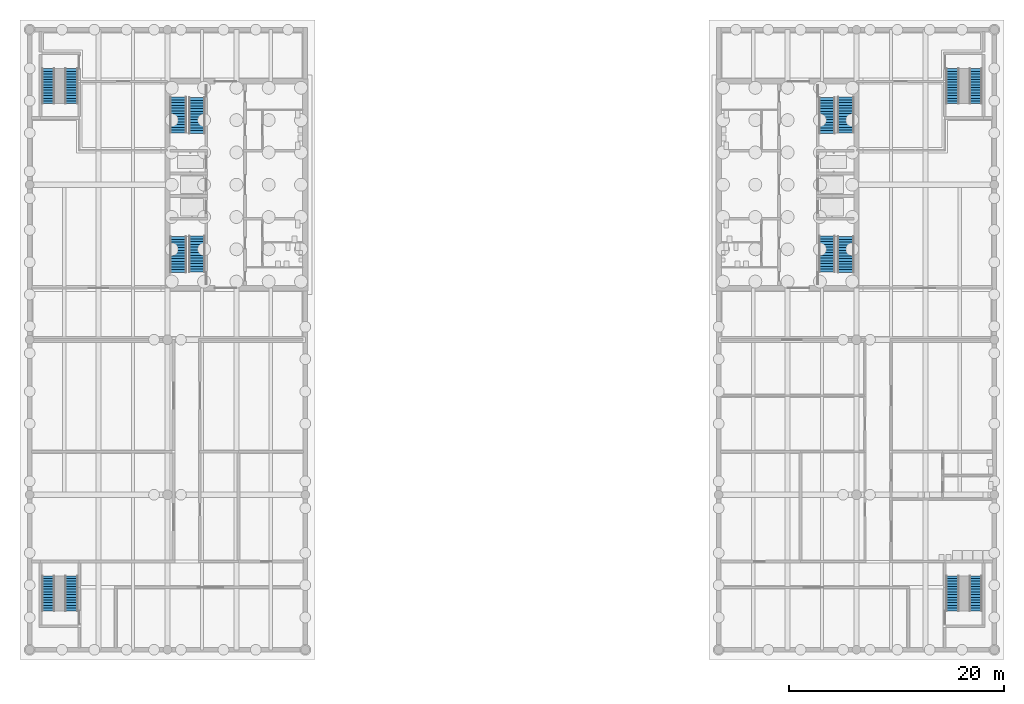
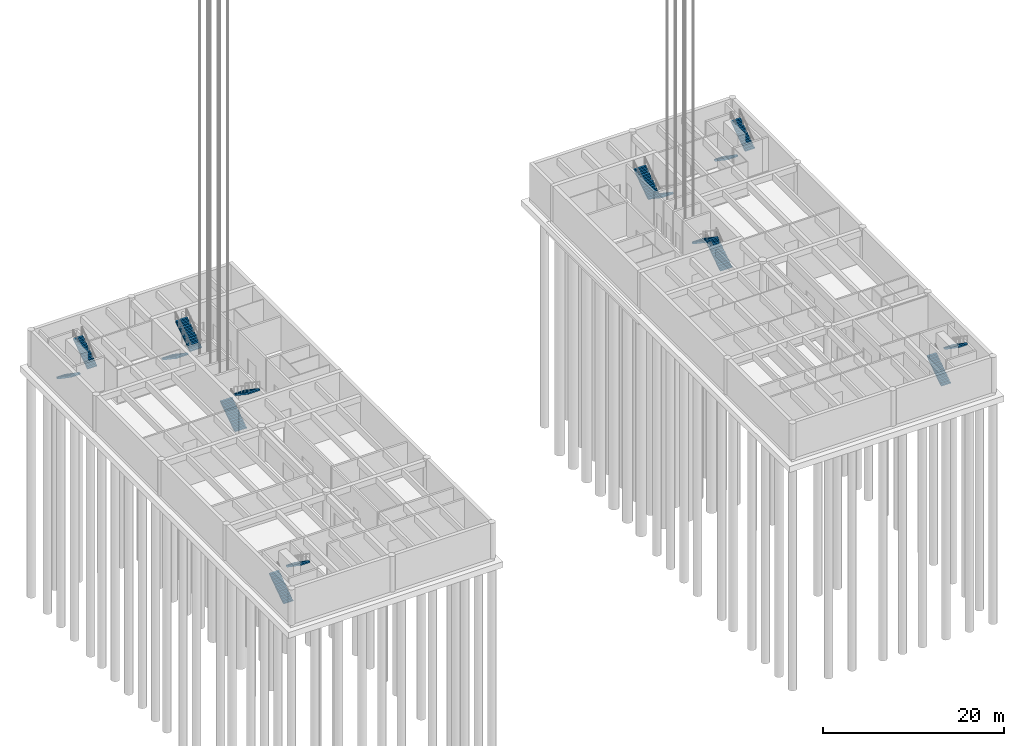
# One storey, part 8 of 24: 16 stair flights, 8 elements without a shape of their own.
"""IFC4 building model written with IfcOpenShell, lengths in metres."""

from ifc_helpers import new_model, si_unit, direction, frame, origin, place, context, subcontext, project, spatial, polyline, outline, extrude, material, type_object, element, aggregate, save


model = new_model("IFC4")

# Units and contexts
model_context = context("Model", 3, precision=1e-05, world=origin(), true_north=direction((0.0, 1.0)))
body_context = subcontext(model_context, "Body", "Model", "MODEL_VIEW")
ifc_project = project(units=[si_unit("LENGTHUNIT", "METRE"), si_unit("AREAUNIT", "SQUARE_METRE"), si_unit("VOLUMEUNIT", "CUBIC_METRE"), si_unit("PLANEANGLEUNIT", "RADIAN"), si_unit("MASSUNIT", "GRAM", prefix="KILO")], contexts=[model_context])

# Site, building, storey
site_placement = place(None, origin())
site = spatial("IfcSite", under=ifc_project, at=site_placement, CompositionType="ELEMENT")
building_placement = place(site_placement, origin())
building = spatial("IfcBuilding", under=site, at=building_placement, Name="Fogon Plaza Fire Station and Headquarters Tower", CompositionType="ELEMENT")
storey_placement = place(building_placement, frame((0.0, 0.0, -4.800048828125)))
storey = spatial("IfcBuildingStorey", under=building, at=storey_placement, Name="B1", CompositionType="ELEMENT", Elevation=-4.800048828125)

# Stair, stair flights
ifc_material_1 = material(Name="Concrete C40", Category="concrete")
stair_type_1 = type_object("IfcStairType", Name="Exit Stair Two Flights", PredefinedType="TWO_STRAIGHT_RUN_STAIR", material=ifc_material_1)
stair_1_placement = place(storey_placement, origin())
stair_1 = element("IfcStair", 1, at=stair_1_placement, inside=storey, type_object=stair_type_1, Name="Stair ST1", PredefinedType="TWO_STRAIGHT_RUN_STAIR")
ifc_material_2 = material(Name="Concrete C40", Category="concrete")
stair_flight_type_1 = type_object("IfcStairFlightType", Name="Stair Flight 14 Risers", PredefinedType="STRAIGHT", material=ifc_material_2)
stair_flight_1_placement = place(storey_placement, frame((13.800048828125, 35.060791015625, 0.0), z_axis=(0.0, 0.0, 1.0), x_axis=(0.0, 1.0, 0.0)))
stair_flight_1 = element("IfcStairFlight", 2, at=stair_flight_1_placement, type_object=stair_flight_type_1, Name="ST1 flight F01", NumberOfRisers=14, NumberOfTreads=13, PredefinedType="STRAIGHT", RiserHeight=0.171428571, TreadLength=0.255, context=body_context, shape_type="SweptSolid", body=[
    extrude(outline(polyline([(0.0, 0.0), (0.0, 0.17138671875), (0.2548828125, 0.17138671875), (0.2548828125, 0.3427734375), (0.510009765625, 0.3427734375), (0.510009765625, 0.514404296875), (0.764892578125, 0.514404296875), (0.764892578125, 0.685791015625), (1.02001953125, 0.685791015625), (1.02001953125, 0.857177734375), (1.27490234375, 0.857177734375), (1.27490234375, 1.028564453125), (1.530029296875, 1.028564453125), (1.530029296875, 1.199951171875), (1.784912109375, 1.199951171875), (1.784912109375, 1.371337890625), (2.0400390625, 1.371337890625), (2.0400390625, 1.54296875), (2.294921875, 1.54296875), (2.294921875, 1.71435546875), (2.550048828125, 1.71435546875), (2.550048828125, 1.8857421875), (2.804931640625, 1.8857421875), (2.804931640625, 2.05712890625), (3.06005859375, 2.05712890625), (3.06005859375, 2.228515625), (3.31494140625, 2.228515625), (3.31494140625, 2.39990234375), (3.31494140625, 2.0478515625), (0.268798828125, 0.0), (0.0, 0.0)])), frame((0.0, 0.75, 0.0), z_axis=(0.0, -1.0, 0.0), x_axis=(1.0, 0.0, 0.0)), (0.0, 0.0, 1.0), 1.5),
])
stair_flight_2_placement = place(storey_placement, frame((15.52490234375, 38.42431640625, 2.400146484375), z_axis=(0.0, 0.0, 1.0), x_axis=(0.0, -1.0, 0.0)))
stair_flight_2 = element("IfcStairFlight", 3, at=stair_flight_2_placement, type_object=stair_flight_type_1, Name="ST1 flight F02", NumberOfRisers=14, NumberOfTreads=13, PredefinedType="STRAIGHT", RiserHeight=0.171428571, TreadLength=0.255, context=body_context, shape_type="SweptSolid", body=[
    extrude(outline(polyline([(0.0, 0.0), (0.0, 0.17138671875), (0.2548828125, 0.17138671875), (0.2548828125, 0.3427734375), (0.510009765625, 0.3427734375), (0.510009765625, 0.514404296875), (0.764892578125, 0.514404296875), (0.764892578125, 0.685791015625), (1.02001953125, 0.685791015625), (1.02001953125, 0.857177734375), (1.27490234375, 0.857177734375), (1.27490234375, 1.028564453125), (1.530029296875, 1.028564453125), (1.530029296875, 1.199951171875), (1.784912109375, 1.199951171875), (1.784912109375, 1.371337890625), (2.0400390625, 1.371337890625), (2.0400390625, 1.54296875), (2.294921875, 1.54296875), (2.294921875, 1.71435546875), (2.550048828125, 1.71435546875), (2.550048828125, 1.8857421875), (2.804931640625, 1.8857421875), (2.804931640625, 2.05712890625), (3.06005859375, 2.05712890625), (3.06005859375, 2.228515625), (3.31494140625, 2.228515625), (3.31494140625, 2.39990234375), (3.31494140625, 2.0478515625), (0.268798828125, 0.0), (0.0, 0.0)])), frame((0.0, 0.75, 0.0), z_axis=(0.0, -1.0, 0.0), x_axis=(1.0, 0.0, 0.0)), (0.0, 0.0, 1.0), 1.5),
])
aggregate(stair_1, [stair_flight_1, stair_flight_2])

stair_2_placement = place(storey_placement, origin())
stair_2 = element("IfcStair", 4, at=stair_2_placement, inside=storey, type_object=stair_type_1, Name="Stair ST2", PredefinedType="TWO_STRAIGHT_RUN_STAIR")
stair_flight_3_placement = place(storey_placement, frame((13.800048828125, 51.33935546875, 0.0), z_axis=(0.0, 0.0, 1.0), x_axis=(0.0, -1.0, 0.0)))
stair_flight_3 = element("IfcStairFlight", 5, at=stair_flight_3_placement, type_object=stair_flight_type_1, Name="ST2 flight F01", NumberOfRisers=14, NumberOfTreads=13, PredefinedType="STRAIGHT", RiserHeight=0.171428571, TreadLength=0.255, context=body_context, shape_type="SweptSolid", body=[
    extrude(outline(polyline([(0.0, 0.0), (0.0, 0.17138671875), (0.2548828125, 0.17138671875), (0.2548828125, 0.3427734375), (0.510009765625, 0.3427734375), (0.510009765625, 0.514404296875), (0.764892578125, 0.514404296875), (0.764892578125, 0.685791015625), (1.02001953125, 0.685791015625), (1.02001953125, 0.857177734375), (1.27490234375, 0.857177734375), (1.27490234375, 1.028564453125), (1.530029296875, 1.028564453125), (1.530029296875, 1.199951171875), (1.784912109375, 1.199951171875), (1.784912109375, 1.371337890625), (2.0400390625, 1.371337890625), (2.0400390625, 1.54296875), (2.294921875, 1.54296875), (2.294921875, 1.71435546875), (2.550048828125, 1.71435546875), (2.550048828125, 1.8857421875), (2.804931640625, 1.8857421875), (2.804931640625, 2.05712890625), (3.06005859375, 2.05712890625), (3.06005859375, 2.228515625), (3.31494140625, 2.228515625), (3.31494140625, 2.39990234375), (3.31494140625, 2.0478515625), (0.268798828125, 0.0), (0.0, 0.0)])), frame((0.0, 0.75, 0.0), z_axis=(0.0, -1.0, 0.0), x_axis=(1.0, 0.0, 0.0)), (0.0, 0.0, 1.0), 1.5),
])
stair_flight_4_placement = place(storey_placement, frame((15.52490234375, 47.975830078125, 2.400146484375), z_axis=(0.0, 0.0, 1.0), x_axis=(0.0, 1.0, 0.0)))
stair_flight_4 = element("IfcStairFlight", 6, at=stair_flight_4_placement, type_object=stair_flight_type_1, Name="ST2 flight F02", NumberOfRisers=14, NumberOfTreads=13, PredefinedType="STRAIGHT", RiserHeight=0.171428571, TreadLength=0.255, context=body_context, shape_type="SweptSolid", body=[
    extrude(outline(polyline([(0.0, 0.0), (0.0, 0.17138671875), (0.2548828125, 0.17138671875), (0.2548828125, 0.3427734375), (0.510009765625, 0.3427734375), (0.510009765625, 0.514404296875), (0.764892578125, 0.514404296875), (0.764892578125, 0.685791015625), (1.02001953125, 0.685791015625), (1.02001953125, 0.857177734375), (1.27490234375, 0.857177734375), (1.27490234375, 1.028564453125), (1.530029296875, 1.028564453125), (1.530029296875, 1.199951171875), (1.784912109375, 1.199951171875), (1.784912109375, 1.371337890625), (2.0400390625, 1.371337890625), (2.0400390625, 1.54296875), (2.294921875, 1.54296875), (2.294921875, 1.71435546875), (2.550048828125, 1.71435546875), (2.550048828125, 1.8857421875), (2.804931640625, 1.8857421875), (2.804931640625, 2.05712890625), (3.06005859375, 2.05712890625), (3.06005859375, 2.228515625), (3.31494140625, 2.228515625), (3.31494140625, 2.39990234375), (3.31494140625, 2.0478515625), (0.268798828125, 0.0), (0.0, 0.0)])), frame((0.0, 0.75, 0.0), z_axis=(0.0, -1.0, 0.0), x_axis=(1.0, 0.0, 0.0)), (0.0, 0.0, 1.0), 1.5),
])
aggregate(stair_2, [stair_flight_3, stair_flight_4])

stair_3_placement = place(storey_placement, origin())
stair_3 = element("IfcStair", 7, at=stair_3_placement, inside=storey, type_object=stair_type_1, Name="Stair ST3", PredefinedType="TWO_STRAIGHT_RUN_STAIR")
stair_flight_5_placement = place(storey_placement, frame((75.800048828125, 35.060791015625, 0.0), z_axis=(0.0, 0.0, 1.0), x_axis=(0.0, 1.0, 0.0)))
stair_flight_5 = element("IfcStairFlight", 8, at=stair_flight_5_placement, type_object=stair_flight_type_1, Name="ST3 flight F01", NumberOfRisers=14, NumberOfTreads=13, PredefinedType="STRAIGHT", RiserHeight=0.171428571, TreadLength=0.255, context=body_context, shape_type="SweptSolid", body=[
    extrude(outline(polyline([(0.0, 0.0), (0.0, 0.17138671875), (0.2548828125, 0.17138671875), (0.2548828125, 0.3427734375), (0.510009765625, 0.3427734375), (0.510009765625, 0.514404296875), (0.764892578125, 0.514404296875), (0.764892578125, 0.685791015625), (1.02001953125, 0.685791015625), (1.02001953125, 0.857177734375), (1.27490234375, 0.857177734375), (1.27490234375, 1.028564453125), (1.530029296875, 1.028564453125), (1.530029296875, 1.199951171875), (1.784912109375, 1.199951171875), (1.784912109375, 1.371337890625), (2.0400390625, 1.371337890625), (2.0400390625, 1.54296875), (2.294921875, 1.54296875), (2.294921875, 1.71435546875), (2.550048828125, 1.71435546875), (2.550048828125, 1.8857421875), (2.804931640625, 1.8857421875), (2.804931640625, 2.05712890625), (3.06005859375, 2.05712890625), (3.06005859375, 2.228515625), (3.31494140625, 2.228515625), (3.31494140625, 2.39990234375), (3.31494140625, 2.0478515625), (0.268798828125, 0.0), (0.0, 0.0)])), frame((0.0, 0.75, 0.0), z_axis=(0.0, -1.0, 0.0), x_axis=(1.0, 0.0, 0.0)), (0.0, 0.0, 1.0), 1.5),
])
stair_flight_6_placement = place(storey_placement, frame((74.074951171875, 38.42431640625, 2.400146484375), z_axis=(0.0, 0.0, 1.0), x_axis=(0.0, -1.0, 0.0)))
stair_flight_6 = element("IfcStairFlight", 9, at=stair_flight_6_placement, type_object=stair_flight_type_1, Name="ST3 flight F02", NumberOfRisers=14, NumberOfTreads=13, PredefinedType="STRAIGHT", RiserHeight=0.171428571, TreadLength=0.255, context=body_context, shape_type="SweptSolid", body=[
    extrude(outline(polyline([(0.0, 0.0), (0.0, 0.17138671875), (0.2548828125, 0.17138671875), (0.2548828125, 0.3427734375), (0.510009765625, 0.3427734375), (0.510009765625, 0.514404296875), (0.764892578125, 0.514404296875), (0.764892578125, 0.685791015625), (1.02001953125, 0.685791015625), (1.02001953125, 0.857177734375), (1.27490234375, 0.857177734375), (1.27490234375, 1.028564453125), (1.530029296875, 1.028564453125), (1.530029296875, 1.199951171875), (1.784912109375, 1.199951171875), (1.784912109375, 1.371337890625), (2.0400390625, 1.371337890625), (2.0400390625, 1.54296875), (2.294921875, 1.54296875), (2.294921875, 1.71435546875), (2.550048828125, 1.71435546875), (2.550048828125, 1.8857421875), (2.804931640625, 1.8857421875), (2.804931640625, 2.05712890625), (3.06005859375, 2.05712890625), (3.06005859375, 2.228515625), (3.31494140625, 2.228515625), (3.31494140625, 2.39990234375), (3.31494140625, 2.0478515625), (0.268798828125, 0.0), (0.0, 0.0)])), frame((0.0, 0.75, 0.0), z_axis=(0.0, -1.0, 0.0), x_axis=(1.0, 0.0, 0.0)), (0.0, 0.0, 1.0), 1.5),
])
aggregate(stair_3, [stair_flight_5, stair_flight_6])

stair_4_placement = place(storey_placement, origin())
stair_4 = element("IfcStair", 10, at=stair_4_placement, inside=storey, type_object=stair_type_1, Name="Stair ST4", PredefinedType="TWO_STRAIGHT_RUN_STAIR")
stair_flight_7_placement = place(storey_placement, frame((75.800048828125, 51.33935546875, 0.0), z_axis=(0.0, 0.0, 1.0), x_axis=(0.0, -1.0, 0.0)))
stair_flight_7 = element("IfcStairFlight", 11, at=stair_flight_7_placement, type_object=stair_flight_type_1, Name="ST4 flight F01", NumberOfRisers=14, NumberOfTreads=13, PredefinedType="STRAIGHT", RiserHeight=0.171428571, TreadLength=0.255, context=body_context, shape_type="SweptSolid", body=[
    extrude(outline(polyline([(0.0, 0.0), (0.0, 0.17138671875), (0.2548828125, 0.17138671875), (0.2548828125, 0.3427734375), (0.510009765625, 0.3427734375), (0.510009765625, 0.514404296875), (0.764892578125, 0.514404296875), (0.764892578125, 0.685791015625), (1.02001953125, 0.685791015625), (1.02001953125, 0.857177734375), (1.27490234375, 0.857177734375), (1.27490234375, 1.028564453125), (1.530029296875, 1.028564453125), (1.530029296875, 1.199951171875), (1.784912109375, 1.199951171875), (1.784912109375, 1.371337890625), (2.0400390625, 1.371337890625), (2.0400390625, 1.54296875), (2.294921875, 1.54296875), (2.294921875, 1.71435546875), (2.550048828125, 1.71435546875), (2.550048828125, 1.8857421875), (2.804931640625, 1.8857421875), (2.804931640625, 2.05712890625), (3.06005859375, 2.05712890625), (3.06005859375, 2.228515625), (3.31494140625, 2.228515625), (3.31494140625, 2.39990234375), (3.31494140625, 2.0478515625), (0.268798828125, 0.0), (0.0, 0.0)])), frame((0.0, 0.75, 0.0), z_axis=(0.0, -1.0, 0.0), x_axis=(1.0, 0.0, 0.0)), (0.0, 0.0, 1.0), 1.5),
])
stair_flight_8_placement = place(storey_placement, frame((74.074951171875, 47.975830078125, 2.400146484375), z_axis=(0.0, 0.0, 1.0), x_axis=(0.0, 1.0, 0.0)))
stair_flight_8 = element("IfcStairFlight", 12, at=stair_flight_8_placement, type_object=stair_flight_type_1, Name="ST4 flight F02", NumberOfRisers=14, NumberOfTreads=13, PredefinedType="STRAIGHT", RiserHeight=0.171428571, TreadLength=0.255, context=body_context, shape_type="SweptSolid", body=[
    extrude(outline(polyline([(0.0, 0.0), (0.0, 0.17138671875), (0.2548828125, 0.17138671875), (0.2548828125, 0.3427734375), (0.510009765625, 0.3427734375), (0.510009765625, 0.514404296875), (0.764892578125, 0.514404296875), (0.764892578125, 0.685791015625), (1.02001953125, 0.685791015625), (1.02001953125, 0.857177734375), (1.27490234375, 0.857177734375), (1.27490234375, 1.028564453125), (1.530029296875, 1.028564453125), (1.530029296875, 1.199951171875), (1.784912109375, 1.199951171875), (1.784912109375, 1.371337890625), (2.0400390625, 1.371337890625), (2.0400390625, 1.54296875), (2.294921875, 1.54296875), (2.294921875, 1.71435546875), (2.550048828125, 1.71435546875), (2.550048828125, 1.8857421875), (2.804931640625, 1.8857421875), (2.804931640625, 2.05712890625), (3.06005859375, 2.05712890625), (3.06005859375, 2.228515625), (3.31494140625, 2.228515625), (3.31494140625, 2.39990234375), (3.31494140625, 2.0478515625), (0.268798828125, 0.0), (0.0, 0.0)])), frame((0.0, 0.75, 0.0), z_axis=(0.0, -1.0, 0.0), x_axis=(1.0, 0.0, 0.0)), (0.0, 0.0, 1.0), 1.5),
])
aggregate(stair_4, [stair_flight_7, stair_flight_8])

ifc_material_3 = material(Name="Concrete C40", Category="concrete")
stair_type_2 = type_object("IfcStairType", Name="Wing Stair 1200", PredefinedType="HALF_TURN_STAIR", material=ifc_material_3)
stair_5_placement = place(storey_placement, origin())
stair_5 = element("IfcStair", 13, at=stair_5_placement, inside=storey, type_object=stair_type_2, Name="ST5", PredefinedType="HALF_TURN_STAIR")
ifc_material_4 = material(Name="Concrete C40", Category="concrete")
stair_flight_type_2 = type_object("IfcStairFlightType", Name="Wing Stair Flight 1200", PredefinedType="STRAIGHT", material=ifc_material_4)
stair_flight_9_placement = place(storey_placement, frame((1.72509765625, 53.97509765625, 0.0), z_axis=(0.0, 0.0, 1.0), x_axis=(0.0, -1.0, 0.0)))
stair_flight_9 = element("IfcStairFlight", 14, at=stair_flight_9_placement, type_object=stair_flight_type_2, Name="ST5 flight 1", NumberOfRisers=14, NumberOfTreads=13, PredefinedType="STRAIGHT", RiserHeight=0.171428571, TreadLength=0.25, context=body_context, shape_type="SweptSolid", body=[
    extrude(outline(polyline([(0.0, 0.0), (0.0, 0.17138671875), (0.25, 0.17138671875), (0.25, 0.3427734375), (0.5, 0.3427734375), (0.5, 0.514404296875), (0.75, 0.514404296875), (0.75, 0.685791015625), (1.0, 0.685791015625), (1.0, 0.857177734375), (1.25, 0.857177734375), (1.25, 1.028564453125), (1.5, 1.028564453125), (1.5, 1.199951171875), (1.75, 1.199951171875), (1.75, 1.371337890625), (2.0, 1.371337890625), (2.0, 1.54296875), (2.25, 1.54296875), (2.25, 1.71435546875), (2.5, 1.71435546875), (2.5, 1.8857421875), (2.75, 1.8857421875), (2.75, 2.05712890625), (3.0, 2.05712890625), (3.0, 2.228515625), (3.25, 2.228515625), (3.25, 2.39990234375), (3.25, 2.046875), (0.26513671875, 0.0), (0.0, 0.0)])), frame((0.0, 0.60009765625, 0.0), z_axis=(0.0, -1.0, 0.0), x_axis=(1.0, 0.0, 0.0)), (0.0, 0.0, 1.0), 1.199951171875),
])
stair_flight_10_placement = place(storey_placement, frame((3.875, 50.72509765625, 2.400146484375), z_axis=(0.0, 0.0, 1.0), x_axis=(0.0, 1.0, 0.0)))
stair_flight_10 = element("IfcStairFlight", 15, at=stair_flight_10_placement, type_object=stair_flight_type_2, Name="ST5 flight 2", NumberOfRisers=14, NumberOfTreads=13, PredefinedType="STRAIGHT", RiserHeight=0.171428571, TreadLength=0.25, context=body_context, shape_type="SweptSolid", body=[
    extrude(outline(polyline([(0.0, 0.0), (0.0, 0.17138671875), (0.25, 0.17138671875), (0.25, 0.3427734375), (0.5, 0.3427734375), (0.5, 0.514404296875), (0.75, 0.514404296875), (0.75, 0.685791015625), (1.0, 0.685791015625), (1.0, 0.857177734375), (1.25, 0.857177734375), (1.25, 1.028564453125), (1.5, 1.028564453125), (1.5, 1.199951171875), (1.75, 1.199951171875), (1.75, 1.371337890625), (2.0, 1.371337890625), (2.0, 1.54296875), (2.25, 1.54296875), (2.25, 1.71435546875), (2.5, 1.71435546875), (2.5, 1.8857421875), (2.75, 1.8857421875), (2.75, 2.05712890625), (3.0, 2.05712890625), (3.0, 2.228515625), (3.25, 2.228515625), (3.25, 2.39990234375), (3.25, 2.046875), (0.26513671875, 0.0), (0.0, 0.0)])), frame((0.0, 0.60009765625, 0.0), z_axis=(0.0, -1.0, 0.0), x_axis=(1.0, 0.0, 0.0)), (0.0, 0.0, 1.0), 1.199951171875),
])
aggregate(stair_5, [stair_flight_9, stair_flight_10])

stair_6_placement = place(storey_placement, origin())
stair_6 = element("IfcStair", 16, at=stair_6_placement, inside=storey, type_object=stair_type_2, Name="ST6", PredefinedType="HALF_TURN_STAIR")
stair_flight_11_placement = place(storey_placement, frame((1.72509765625, 3.625, 0.0), z_axis=(0.0, 0.0, 1.0), x_axis=(0.0, 1.0, 0.0)))
stair_flight_11 = element("IfcStairFlight", 17, at=stair_flight_11_placement, type_object=stair_flight_type_2, Name="ST6 flight 1", NumberOfRisers=14, NumberOfTreads=13, PredefinedType="STRAIGHT", RiserHeight=0.171428571, TreadLength=0.25, context=body_context, shape_type="SweptSolid", body=[
    extrude(outline(polyline([(0.0, 0.0), (0.0, 0.17138671875), (0.25, 0.17138671875), (0.25, 0.3427734375), (0.5, 0.3427734375), (0.5, 0.514404296875), (0.75, 0.514404296875), (0.75, 0.685791015625), (1.0, 0.685791015625), (1.0, 0.857177734375), (1.25, 0.857177734375), (1.25, 1.028564453125), (1.5, 1.028564453125), (1.5, 1.199951171875), (1.75, 1.199951171875), (1.75, 1.371337890625), (2.0, 1.371337890625), (2.0, 1.54296875), (2.25, 1.54296875), (2.25, 1.71435546875), (2.5, 1.71435546875), (2.5, 1.8857421875), (2.75, 1.8857421875), (2.75, 2.05712890625), (3.0, 2.05712890625), (3.0, 2.228515625), (3.25, 2.228515625), (3.25, 2.39990234375), (3.25, 2.046875), (0.26513671875, 0.0), (0.0, 0.0)])), frame((0.0, 0.60009765625, 0.0), z_axis=(0.0, -1.0, 0.0), x_axis=(1.0, 0.0, 0.0)), (0.0, 0.0, 1.0), 1.199951171875),
])
stair_flight_12_placement = place(storey_placement, frame((3.875, 6.875, 2.400146484375), z_axis=(0.0, 0.0, 1.0), x_axis=(0.0, -1.0, 0.0)))
stair_flight_12 = element("IfcStairFlight", 18, at=stair_flight_12_placement, type_object=stair_flight_type_2, Name="ST6 flight 2", NumberOfRisers=14, NumberOfTreads=13, PredefinedType="STRAIGHT", RiserHeight=0.171428571, TreadLength=0.25, context=body_context, shape_type="SweptSolid", body=[
    extrude(outline(polyline([(0.0, 0.0), (0.0, 0.17138671875), (0.25, 0.17138671875), (0.25, 0.3427734375), (0.5, 0.3427734375), (0.5, 0.514404296875), (0.75, 0.514404296875), (0.75, 0.685791015625), (1.0, 0.685791015625), (1.0, 0.857177734375), (1.25, 0.857177734375), (1.25, 1.028564453125), (1.5, 1.028564453125), (1.5, 1.199951171875), (1.75, 1.199951171875), (1.75, 1.371337890625), (2.0, 1.371337890625), (2.0, 1.54296875), (2.25, 1.54296875), (2.25, 1.71435546875), (2.5, 1.71435546875), (2.5, 1.8857421875), (2.75, 1.8857421875), (2.75, 2.05712890625), (3.0, 2.05712890625), (3.0, 2.228515625), (3.25, 2.228515625), (3.25, 2.39990234375), (3.25, 2.046875), (0.26513671875, 0.0), (0.0, 0.0)])), frame((0.0, 0.60009765625, 0.0), z_axis=(0.0, -1.0, 0.0), x_axis=(1.0, 0.0, 0.0)), (0.0, 0.0, 1.0), 1.199951171875),
])
aggregate(stair_6, [stair_flight_11, stair_flight_12])

stair_7_placement = place(storey_placement, origin())
stair_7 = element("IfcStair", 19, at=stair_7_placement, inside=storey, type_object=stair_type_2, Name="ST7", PredefinedType="HALF_TURN_STAIR")
stair_flight_13_placement = place(storey_placement, frame((85.72509765625, 53.97509765625, 0.0), z_axis=(0.0, 0.0, 1.0), x_axis=(0.0, -1.0, 0.0)))
stair_flight_13 = element("IfcStairFlight", 20, at=stair_flight_13_placement, type_object=stair_flight_type_2, Name="ST7 flight 1", NumberOfRisers=14, NumberOfTreads=13, PredefinedType="STRAIGHT", RiserHeight=0.171428571, TreadLength=0.25, context=body_context, shape_type="SweptSolid", body=[
    extrude(outline(polyline([(0.0, 0.0), (0.0, 0.17138671875), (0.25, 0.17138671875), (0.25, 0.3427734375), (0.5, 0.3427734375), (0.5, 0.514404296875), (0.75, 0.514404296875), (0.75, 0.685791015625), (1.0, 0.685791015625), (1.0, 0.857177734375), (1.25, 0.857177734375), (1.25, 1.028564453125), (1.5, 1.028564453125), (1.5, 1.199951171875), (1.75, 1.199951171875), (1.75, 1.371337890625), (2.0, 1.371337890625), (2.0, 1.54296875), (2.25, 1.54296875), (2.25, 1.71435546875), (2.5, 1.71435546875), (2.5, 1.8857421875), (2.75, 1.8857421875), (2.75, 2.05712890625), (3.0, 2.05712890625), (3.0, 2.228515625), (3.25, 2.228515625), (3.25, 2.39990234375), (3.25, 2.046875), (0.26513671875, 0.0), (0.0, 0.0)])), frame((0.0, 0.60009765625, 0.0), z_axis=(0.0, -1.0, 0.0), x_axis=(1.0, 0.0, 0.0)), (0.0, 0.0, 1.0), 1.199951171875),
])
stair_flight_14_placement = place(storey_placement, frame((87.875, 50.72509765625, 2.400146484375), z_axis=(0.0, 0.0, 1.0), x_axis=(0.0, 1.0, 0.0)))
stair_flight_14 = element("IfcStairFlight", 21, at=stair_flight_14_placement, type_object=stair_flight_type_2, Name="ST7 flight 2", NumberOfRisers=14, NumberOfTreads=13, PredefinedType="STRAIGHT", RiserHeight=0.171428571, TreadLength=0.25, context=body_context, shape_type="SweptSolid", body=[
    extrude(outline(polyline([(0.0, 0.0), (0.0, 0.17138671875), (0.25, 0.17138671875), (0.25, 0.3427734375), (0.5, 0.3427734375), (0.5, 0.514404296875), (0.75, 0.514404296875), (0.75, 0.685791015625), (1.0, 0.685791015625), (1.0, 0.857177734375), (1.25, 0.857177734375), (1.25, 1.028564453125), (1.5, 1.028564453125), (1.5, 1.199951171875), (1.75, 1.199951171875), (1.75, 1.371337890625), (2.0, 1.371337890625), (2.0, 1.54296875), (2.25, 1.54296875), (2.25, 1.71435546875), (2.5, 1.71435546875), (2.5, 1.8857421875), (2.75, 1.8857421875), (2.75, 2.05712890625), (3.0, 2.05712890625), (3.0, 2.228515625), (3.25, 2.228515625), (3.25, 2.39990234375), (3.25, 2.046875), (0.26513671875, 0.0), (0.0, 0.0)])), frame((0.0, 0.60009765625, 0.0), z_axis=(0.0, -1.0, 0.0), x_axis=(1.0, 0.0, 0.0)), (0.0, 0.0, 1.0), 1.199951171875),
])
aggregate(stair_7, [stair_flight_13, stair_flight_14])

stair_8_placement = place(storey_placement, origin())
stair_8 = element("IfcStair", 22, at=stair_8_placement, inside=storey, type_object=stair_type_2, Name="ST8", PredefinedType="HALF_TURN_STAIR")
stair_flight_15_placement = place(storey_placement, frame((85.72509765625, 3.625, 0.0), z_axis=(0.0, 0.0, 1.0), x_axis=(0.0, 1.0, 0.0)))
stair_flight_15 = element("IfcStairFlight", 23, at=stair_flight_15_placement, type_object=stair_flight_type_2, Name="ST8 flight 1", NumberOfRisers=14, NumberOfTreads=13, PredefinedType="STRAIGHT", RiserHeight=0.171428571, TreadLength=0.25, context=body_context, shape_type="SweptSolid", body=[
    extrude(outline(polyline([(0.0, 0.0), (0.0, 0.17138671875), (0.25, 0.17138671875), (0.25, 0.3427734375), (0.5, 0.3427734375), (0.5, 0.514404296875), (0.75, 0.514404296875), (0.75, 0.685791015625), (1.0, 0.685791015625), (1.0, 0.857177734375), (1.25, 0.857177734375), (1.25, 1.028564453125), (1.5, 1.028564453125), (1.5, 1.199951171875), (1.75, 1.199951171875), (1.75, 1.371337890625), (2.0, 1.371337890625), (2.0, 1.54296875), (2.25, 1.54296875), (2.25, 1.71435546875), (2.5, 1.71435546875), (2.5, 1.8857421875), (2.75, 1.8857421875), (2.75, 2.05712890625), (3.0, 2.05712890625), (3.0, 2.228515625), (3.25, 2.228515625), (3.25, 2.39990234375), (3.25, 2.046875), (0.26513671875, 0.0), (0.0, 0.0)])), frame((0.0, 0.60009765625, 0.0), z_axis=(0.0, -1.0, 0.0), x_axis=(1.0, 0.0, 0.0)), (0.0, 0.0, 1.0), 1.199951171875),
])
stair_flight_16_placement = place(storey_placement, frame((87.875, 6.875, 2.400146484375), z_axis=(0.0, 0.0, 1.0), x_axis=(0.0, -1.0, 0.0)))
stair_flight_16 = element("IfcStairFlight", 24, at=stair_flight_16_placement, type_object=stair_flight_type_2, Name="ST8 flight 2", NumberOfRisers=14, NumberOfTreads=13, PredefinedType="STRAIGHT", RiserHeight=0.171428571, TreadLength=0.25, context=body_context, shape_type="SweptSolid", body=[
    extrude(outline(polyline([(0.0, 0.0), (0.0, 0.17138671875), (0.25, 0.17138671875), (0.25, 0.3427734375), (0.5, 0.3427734375), (0.5, 0.514404296875), (0.75, 0.514404296875), (0.75, 0.685791015625), (1.0, 0.685791015625), (1.0, 0.857177734375), (1.25, 0.857177734375), (1.25, 1.028564453125), (1.5, 1.028564453125), (1.5, 1.199951171875), (1.75, 1.199951171875), (1.75, 1.371337890625), (2.0, 1.371337890625), (2.0, 1.54296875), (2.25, 1.54296875), (2.25, 1.71435546875), (2.5, 1.71435546875), (2.5, 1.8857421875), (2.75, 1.8857421875), (2.75, 2.05712890625), (3.0, 2.05712890625), (3.0, 2.228515625), (3.25, 2.228515625), (3.25, 2.39990234375), (3.25, 2.046875), (0.26513671875, 0.0), (0.0, 0.0)])), frame((0.0, 0.60009765625, 0.0), z_axis=(0.0, -1.0, 0.0), x_axis=(1.0, 0.0, 0.0)), (0.0, 0.0, 1.0), 1.199951171875),
])
aggregate(stair_8, [stair_flight_15, stair_flight_16])

save(model, "model.ifc")
